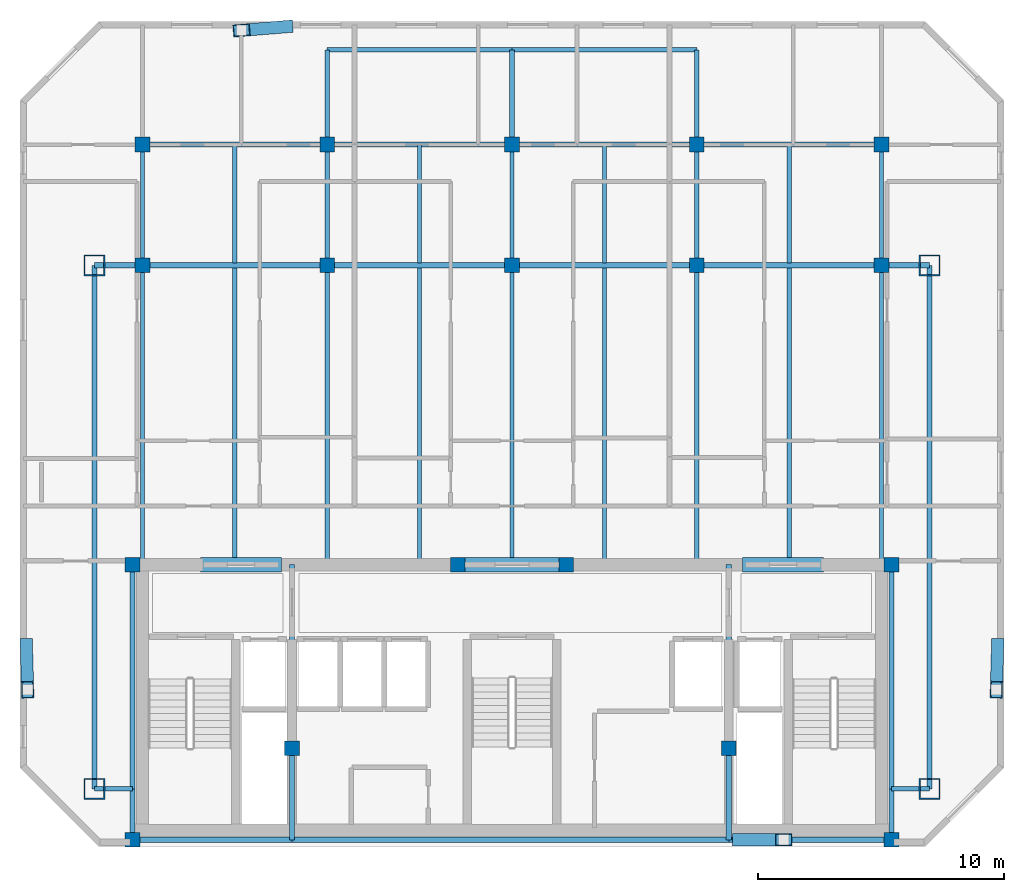
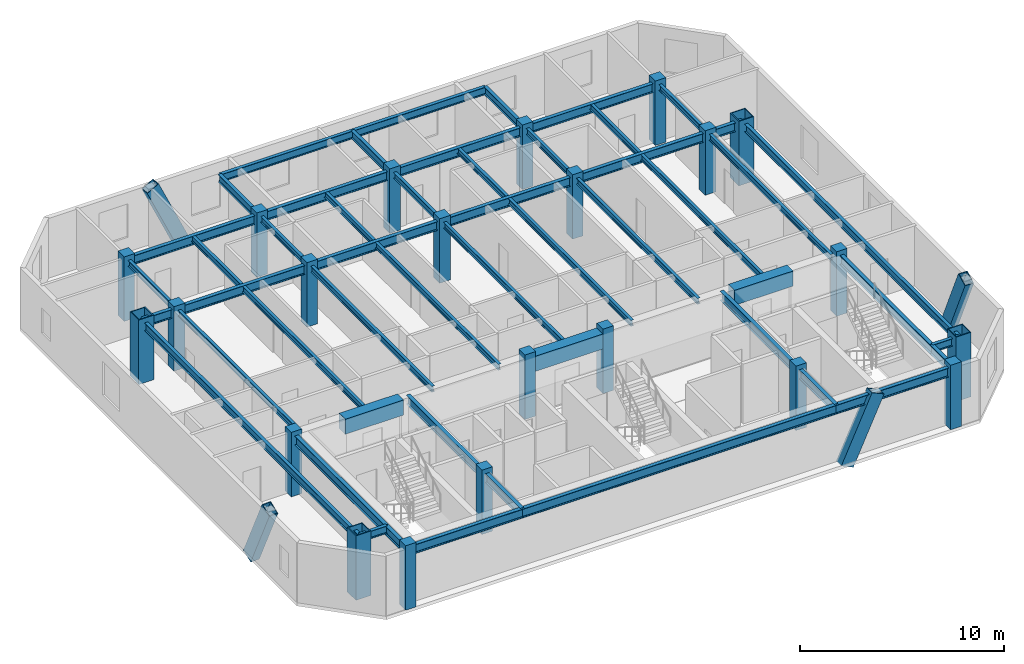
# One storey, part 1 of 7: 51 beams, 22 columns, 4 members.
"""IFC4 building model written with IfcOpenShell, lengths in metres."""

from ifc_helpers import new_model, si_unit, direction, frame, origin, origin_2d, place, context, subcontext, project, spatial, rectangle, hollow_rectangle, i_section, extrude, material, material_profile, profile_set, type_object, element, save


model = new_model("IFC4")

# Units and contexts
model_context = context("Model", 3, precision=1e-05, world=origin(), true_north=direction((0.0, 1.0)))
body_context = subcontext(model_context, "Body", "Model", "MODEL_VIEW")
ifc_project = project(units=[si_unit("LENGTHUNIT", "METRE"), si_unit("AREAUNIT", "SQUARE_METRE"), si_unit("VOLUMEUNIT", "CUBIC_METRE"), si_unit("PLANEANGLEUNIT", "RADIAN"), si_unit("MASSUNIT", "GRAM", prefix="KILO")], contexts=[model_context])

# Site, building, storey
site_placement = place(None, origin())
site = spatial("IfcSite", under=ifc_project, at=site_placement, CompositionType="ELEMENT")
building_placement = place(site_placement, origin())
building = spatial("IfcBuilding", under=site, at=building_placement, Name="Ventersveld Concourse Tower", CompositionType="ELEMENT")
storey_placement = place(building_placement, frame((0.0, 0.0, 304.14990234375)))
storey = spatial("IfcBuildingStorey", under=building, at=storey_placement, Name="L75", CompositionType="ELEMENT", Elevation=304.14990234375)

# Columns
ifc_material_1 = material(Name="Concrete C50/60", Category="concrete")
ifc_material_profile_1 = material_profile(ifc_material_1, rectangle(XDim=0.60009765625, YDim=0.60009765625, at=origin_2d()), Name="RC 600x600")
ifc_profile_set_1 = profile_set([ifc_material_profile_1], Name="Concrete C50/60")
column_type_1 = type_object("IfcColumnType", Name="COL-RC600", PredefinedType="COLUMN", material=ifc_profile_set_1)
for number, where, z_axis, x_axis, name in (
    (1, (13.35009765625, 0.280029296875, 0.0), (0.0, 0.0, 1.0), (1.0, 0.0, 0.0), "L75 Core Spine Column CC-SW"),
    (2, (44.14990234375, 0.280029296875, 0.0), (0.0, 0.0, 1.0), (1.0, 0.0, 0.0), "L75 Core Spine Column CC-SE"),
    (3, (13.35009765625, 11.449951171875, 0.0), (0.0, 0.0, 1.0), (1.0, 0.0, 0.0), "L75 Core Spine Column CC-NW"),
    (4, (44.14990234375, 11.449951171875, 0.0), (0.0, 0.0, 1.0), (1.0, 0.0, 0.0), "L75 Core Spine Column CC-NE"),
    (5, (19.820068359375, 4.0, 0.0), (0.0, 0.0, 1.0), (1.0, 0.0, 0.0), "L75 Core Spine Column CM-1"),
    (6, (37.550048828125, 4.0, 0.0), (0.0, 0.0, 1.0), (1.0, 0.0, 0.0), "L75 Core Spine Column CM-2"),
    (7, (26.550048828125, 11.449951171875, 0.0), (0.0, 0.0, 1.0), (1.0, 0.0, 0.0), "L75 Core Spine Column CM-3"),
    (8, (30.949951171875, 11.449951171875, 0.0), (0.0, 0.0, 1.0), (1.0, 0.0, 0.0), "L75 Core Spine Column CM-4"),
    (9, (13.75, 23.60009765625, 0.0), (0.0, 0.0, 1.0), (1.0, 0.0, 0.0), "L75 Interior Gravity Column X=13.75 Y=23.60"),
    (10, (21.25, 23.60009765625, 0.0), (0.0, 0.0, 1.0), (1.0, 0.0, 0.0), "L75 Interior Gravity Column X=21.25 Y=23.60"),
    (11, (28.75, 23.60009765625, 0.0), (0.0, 0.0, 1.0), (1.0, 0.0, 0.0), "L75 Interior Gravity Column X=28.75 Y=23.60"),
    (12, (36.25, 23.60009765625, 0.0), (0.0, 0.0, 1.0), (1.0, 0.0, 0.0), "L75 Interior Gravity Column X=36.25 Y=23.60"),
    (13, (43.75, 23.60009765625, 0.0), (0.0, 0.0, 1.0), (1.0, 0.0, 0.0), "L75 Interior Gravity Column X=43.75 Y=23.60"),
    (14, (13.75, 28.5, 0.0), (0.0, 0.0, 1.0), (1.0, 0.0, 0.0), "L75 Upper-North Gravity Column X=13.75 Y=28.50"),
    (15, (21.25, 28.5, 0.0), (0.0, 0.0, 1.0), (1.0, 0.0, 0.0), "L75 Upper-North Gravity Column X=21.25 Y=28.50"),
    (16, (28.75, 28.5, 0.0), (0.0, 0.0, 1.0), (1.0, 0.0, 0.0), "L75 Upper-North Gravity Column X=28.75 Y=28.50"),
    (17, (36.25, 28.5, 0.0), (0.0, 0.0, 1.0), (1.0, 0.0, 0.0), "L75 Upper-North Gravity Column X=36.25 Y=28.50"),
    (18, (43.75, 28.5, 0.0), (0.0, 0.0, 1.0), (1.0, 0.0, 0.0), "L75 Upper-North Gravity Column X=43.75 Y=28.50"),
):
    element("IfcColumn", number, at=place(storey_placement, frame(where, z_axis=z_axis, x_axis=x_axis)), inside=storey, type_object=column_type_1, Name=name, PredefinedType="COLUMN", context=body_context, shape_type="SweptSolid", body=[
        extrude(rectangle(XDim=0.60009765625, YDim=0.60009765625, at=origin_2d()), origin(), (0.0, 0.0, 1.0), 3.85009765625),
    ])
ifc_material_2 = material(Name="Structural steel S460ML", Category="steel")
ifc_material_profile_2 = material_profile(ifc_material_2, hollow_rectangle(XDim=0.85009765625, YDim=0.85009765625, WallThickness=0.050048828125, at=origin_2d()), Name="BOX 850x850x50")
ifc_profile_set_2 = profile_set([ifc_material_profile_2], Name="Structural steel S460ML")
column_type_2 = type_object("IfcColumnType", Name="MC-850", PredefinedType="USERDEFINED", material=ifc_profile_set_2)
for number, where, z_axis, x_axis, name in (
    (19, (11.800048828125, 2.35009765625, 0.0), (0.0, 0.0, 1.0), (1.0, 0.0, 0.0), "L75 Corner Mega-Column MC-SW"),
    (20, (45.699951171875, 2.35009765625, 0.0), (0.0, 0.0, 1.0), (1.0, 0.0, 0.0), "L75 Corner Mega-Column MC-SE"),
    (21, (45.699951171875, 23.60009765625, 0.0), (0.0, 0.0, 1.0), (1.0, 0.0, 0.0), "L75 Corner Mega-Column MC-NE"),
    (22, (11.800048828125, 23.60009765625, 0.0), (0.0, 0.0, 1.0), (1.0, 0.0, 0.0), "L75 Corner Mega-Column MC-NW"),
):
    element("IfcColumn", number, at=place(storey_placement, frame(where, z_axis=z_axis, x_axis=x_axis)), inside=storey, type_object=column_type_2, Name=name, ObjectType="MEGA_COLUMN", PredefinedType="USERDEFINED", context=body_context, shape_type="SweptSolid", body=[
        extrude(hollow_rectangle(XDim=0.85009765625, YDim=0.85009765625, WallThickness=0.050048828125, at=origin_2d()), origin(), (0.0, 0.0, 1.0), 3.85009765625),
    ])

# Beams
ifc_material_3 = material(Name="Structural steel S355J2", Category="steel")
ifc_material_profile_3 = material_profile(ifc_material_3, i_section(OverallWidth=0.17138671875, OverallDepth=0.35498046875, WebThickness=0.00732421875, FlangeThickness=0.011474609375, FilletRadius=0.01025390625, at=origin_2d()), Name="UB 356x171x51")
ifc_profile_set_3 = profile_set([ifc_material_profile_3], Name="Structural steel S355J2")
beam_type_1 = type_object("IfcBeamType", Name="BM-UB356", PredefinedType="BEAM", material=ifc_profile_set_3)
beam_1_placement = place(storey_placement, frame((13.75, 11.449951171875, 3.392578125), z_axis=(0.0, 1.0, 0.0), x_axis=(-1.0, 0.0, 0.0)))
element("IfcBeam", 23, at=beam_1_placement, inside=storey, type_object=beam_type_1, Name="L75 N-S Composite Floor Beam South X=13.75", PredefinedType="BEAM", context=body_context, shape_type="SweptSolid", body=[
    extrude(i_section(OverallWidth=0.17138671875, OverallDepth=0.35498046875, WebThickness=0.00732421875, FlangeThickness=0.011474609375, FilletRadius=0.01025390625, at=origin_2d()), origin(), (0.0, 0.0, 1.0), 12.150146484375),
])
beam_2_placement = place(storey_placement, frame((13.75, 23.60009765625, 3.392578125), z_axis=(0.0, 1.0, 0.0), x_axis=(-1.0, 0.0, 0.0)))
element("IfcBeam", 24, at=beam_2_placement, inside=storey, type_object=beam_type_1, Name="L75 N-S Upper-Zone Floor Beam X=13.75", PredefinedType="BEAM", context=body_context, shape_type="SweptSolid", body=[
    extrude(i_section(OverallWidth=0.17138671875, OverallDepth=0.35498046875, WebThickness=0.00732421875, FlangeThickness=0.011474609375, FilletRadius=0.01025390625, at=origin_2d()), origin(), (0.0, 0.0, 1.0), 4.89990234375),
])
beam_3_placement = place(storey_placement, frame((17.5, 11.449951171875, 3.392578125), z_axis=(0.0, 1.0, 0.0), x_axis=(-1.0, 0.0, 0.0)))
element("IfcBeam", 25, at=beam_3_placement, inside=storey, type_object=beam_type_1, Name="L75 N-S Composite Floor Beam South X=17.50", PredefinedType="BEAM", context=body_context, shape_type="SweptSolid", body=[
    extrude(i_section(OverallWidth=0.17138671875, OverallDepth=0.35498046875, WebThickness=0.00732421875, FlangeThickness=0.011474609375, FilletRadius=0.01025390625, at=origin_2d()), origin(), (0.0, 0.0, 1.0), 12.054931640625),
])
beam_4_placement = place(storey_placement, frame((17.5, 23.695068359375, 3.392578125), z_axis=(0.0, 1.0, 0.0), x_axis=(-1.0, 0.0, 0.0)))
element("IfcBeam", 26, at=beam_4_placement, inside=storey, type_object=beam_type_1, Name="L75 N-S Upper-Zone Floor Beam X=17.50", PredefinedType="BEAM", context=body_context, shape_type="SweptSolid", body=[
    extrude(i_section(OverallWidth=0.17138671875, OverallDepth=0.35498046875, WebThickness=0.00732421875, FlangeThickness=0.011474609375, FilletRadius=0.01025390625, at=origin_2d()), origin(), (0.0, 0.0, 1.0), 4.804931640625),
])
beam_5_placement = place(storey_placement, frame((21.25, 11.449951171875, 3.392578125), z_axis=(0.0, 1.0, 0.0), x_axis=(-1.0, 0.0, 0.0)))
element("IfcBeam", 27, at=beam_5_placement, inside=storey, type_object=beam_type_1, Name="L75 N-S Composite Floor Beam South X=21.25", PredefinedType="BEAM", context=body_context, shape_type="SweptSolid", body=[
    extrude(i_section(OverallWidth=0.17138671875, OverallDepth=0.35498046875, WebThickness=0.00732421875, FlangeThickness=0.011474609375, FilletRadius=0.01025390625, at=origin_2d()), origin(), (0.0, 0.0, 1.0), 12.150146484375),
])
beam_6_placement = place(storey_placement, frame((21.25, 23.60009765625, 3.392578125), z_axis=(0.0, 1.0, 0.0), x_axis=(-1.0, 0.0, 0.0)))
element("IfcBeam", 28, at=beam_6_placement, inside=storey, type_object=beam_type_1, Name="L75 N-S Upper-Zone Floor Beam X=21.25", PredefinedType="BEAM", context=body_context, shape_type="SweptSolid", body=[
    extrude(i_section(OverallWidth=0.17138671875, OverallDepth=0.35498046875, WebThickness=0.00732421875, FlangeThickness=0.011474609375, FilletRadius=0.01025390625, at=origin_2d()), origin(), (0.0, 0.0, 1.0), 4.89990234375),
])
beam_7_placement = place(storey_placement, frame((25.0, 11.449951171875, 3.392578125), z_axis=(0.0, 1.0, 0.0), x_axis=(-1.0, 0.0, 0.0)))
element("IfcBeam", 29, at=beam_7_placement, inside=storey, type_object=beam_type_1, Name="L75 N-S Composite Floor Beam South X=25.00", PredefinedType="BEAM", context=body_context, shape_type="SweptSolid", body=[
    extrude(i_section(OverallWidth=0.17138671875, OverallDepth=0.35498046875, WebThickness=0.00732421875, FlangeThickness=0.011474609375, FilletRadius=0.01025390625, at=origin_2d()), origin(), (0.0, 0.0, 1.0), 12.054931640625),
])
beam_8_placement = place(storey_placement, frame((25.0, 23.695068359375, 3.392578125), z_axis=(0.0, 1.0, 0.0), x_axis=(-1.0, 0.0, 0.0)))
element("IfcBeam", 30, at=beam_8_placement, inside=storey, type_object=beam_type_1, Name="L75 N-S Upper-Zone Floor Beam X=25.00", PredefinedType="BEAM", context=body_context, shape_type="SweptSolid", body=[
    extrude(i_section(OverallWidth=0.17138671875, OverallDepth=0.35498046875, WebThickness=0.00732421875, FlangeThickness=0.011474609375, FilletRadius=0.01025390625, at=origin_2d()), origin(), (0.0, 0.0, 1.0), 4.804931640625),
])
beam_9_placement = place(storey_placement, frame((28.75, 11.449951171875, 3.392578125), z_axis=(0.0, 1.0, 0.0), x_axis=(-1.0, 0.0, 0.0)))
element("IfcBeam", 31, at=beam_9_placement, inside=storey, type_object=beam_type_1, Name="L75 N-S Composite Floor Beam South X=28.75", PredefinedType="BEAM", context=body_context, shape_type="SweptSolid", body=[
    extrude(i_section(OverallWidth=0.17138671875, OverallDepth=0.35498046875, WebThickness=0.00732421875, FlangeThickness=0.011474609375, FilletRadius=0.01025390625, at=origin_2d()), origin(), (0.0, 0.0, 1.0), 12.150146484375),
])
beam_10_placement = place(storey_placement, frame((28.75, 23.60009765625, 3.392578125), z_axis=(0.0, 1.0, 0.0), x_axis=(-1.0, 0.0, 0.0)))
element("IfcBeam", 32, at=beam_10_placement, inside=storey, type_object=beam_type_1, Name="L75 N-S Upper-Zone Floor Beam X=28.75", PredefinedType="BEAM", context=body_context, shape_type="SweptSolid", body=[
    extrude(i_section(OverallWidth=0.17138671875, OverallDepth=0.35498046875, WebThickness=0.00732421875, FlangeThickness=0.011474609375, FilletRadius=0.01025390625, at=origin_2d()), origin(), (0.0, 0.0, 1.0), 4.89990234375),
])
beam_11_placement = place(storey_placement, frame((32.5, 11.449951171875, 3.392578125), z_axis=(0.0, 1.0, 0.0), x_axis=(-1.0, 0.0, 0.0)))
element("IfcBeam", 33, at=beam_11_placement, inside=storey, type_object=beam_type_1, Name="L75 N-S Composite Floor Beam South X=32.50", PredefinedType="BEAM", context=body_context, shape_type="SweptSolid", body=[
    extrude(i_section(OverallWidth=0.17138671875, OverallDepth=0.35498046875, WebThickness=0.00732421875, FlangeThickness=0.011474609375, FilletRadius=0.01025390625, at=origin_2d()), origin(), (0.0, 0.0, 1.0), 12.054931640625),
])
beam_12_placement = place(storey_placement, frame((32.5, 23.695068359375, 3.392578125), z_axis=(0.0, 1.0, 0.0), x_axis=(-1.0, 0.0, 0.0)))
element("IfcBeam", 34, at=beam_12_placement, inside=storey, type_object=beam_type_1, Name="L75 N-S Upper-Zone Floor Beam X=32.50", PredefinedType="BEAM", context=body_context, shape_type="SweptSolid", body=[
    extrude(i_section(OverallWidth=0.17138671875, OverallDepth=0.35498046875, WebThickness=0.00732421875, FlangeThickness=0.011474609375, FilletRadius=0.01025390625, at=origin_2d()), origin(), (0.0, 0.0, 1.0), 4.804931640625),
])
beam_13_placement = place(storey_placement, frame((36.25, 11.449951171875, 3.392578125), z_axis=(0.0, 1.0, 0.0), x_axis=(-1.0, 0.0, 0.0)))
element("IfcBeam", 35, at=beam_13_placement, inside=storey, type_object=beam_type_1, Name="L75 N-S Composite Floor Beam South X=36.25", PredefinedType="BEAM", context=body_context, shape_type="SweptSolid", body=[
    extrude(i_section(OverallWidth=0.17138671875, OverallDepth=0.35498046875, WebThickness=0.00732421875, FlangeThickness=0.011474609375, FilletRadius=0.01025390625, at=origin_2d()), origin(), (0.0, 0.0, 1.0), 12.150146484375),
])
beam_14_placement = place(storey_placement, frame((36.25, 23.60009765625, 3.392578125), z_axis=(0.0, 1.0, 0.0), x_axis=(-1.0, 0.0, 0.0)))
element("IfcBeam", 36, at=beam_14_placement, inside=storey, type_object=beam_type_1, Name="L75 N-S Upper-Zone Floor Beam X=36.25", PredefinedType="BEAM", context=body_context, shape_type="SweptSolid", body=[
    extrude(i_section(OverallWidth=0.17138671875, OverallDepth=0.35498046875, WebThickness=0.00732421875, FlangeThickness=0.011474609375, FilletRadius=0.01025390625, at=origin_2d()), origin(), (0.0, 0.0, 1.0), 4.89990234375),
])
beam_15_placement = place(storey_placement, frame((40.0, 11.449951171875, 3.392578125), z_axis=(0.0, 1.0, 0.0), x_axis=(-1.0, 0.0, 0.0)))
element("IfcBeam", 37, at=beam_15_placement, inside=storey, type_object=beam_type_1, Name="L75 N-S Composite Floor Beam South X=40.00", PredefinedType="BEAM", context=body_context, shape_type="SweptSolid", body=[
    extrude(i_section(OverallWidth=0.17138671875, OverallDepth=0.35498046875, WebThickness=0.00732421875, FlangeThickness=0.011474609375, FilletRadius=0.01025390625, at=origin_2d()), origin(), (0.0, 0.0, 1.0), 12.054931640625),
])
beam_16_placement = place(storey_placement, frame((40.0, 23.695068359375, 3.392578125), z_axis=(0.0, 1.0, 0.0), x_axis=(-1.0, 0.0, 0.0)))
element("IfcBeam", 38, at=beam_16_placement, inside=storey, type_object=beam_type_1, Name="L75 N-S Upper-Zone Floor Beam X=40.00", PredefinedType="BEAM", context=body_context, shape_type="SweptSolid", body=[
    extrude(i_section(OverallWidth=0.17138671875, OverallDepth=0.35498046875, WebThickness=0.00732421875, FlangeThickness=0.011474609375, FilletRadius=0.01025390625, at=origin_2d()), origin(), (0.0, 0.0, 1.0), 4.804931640625),
])
beam_17_placement = place(storey_placement, frame((43.75, 11.449951171875, 3.392578125), z_axis=(0.0, 1.0, 0.0), x_axis=(-1.0, 0.0, 0.0)))
element("IfcBeam", 39, at=beam_17_placement, inside=storey, type_object=beam_type_1, Name="L75 N-S Composite Floor Beam South X=43.75", PredefinedType="BEAM", context=body_context, shape_type="SweptSolid", body=[
    extrude(i_section(OverallWidth=0.17138671875, OverallDepth=0.35498046875, WebThickness=0.00732421875, FlangeThickness=0.011474609375, FilletRadius=0.01025390625, at=origin_2d()), origin(), (0.0, 0.0, 1.0), 12.150146484375),
])
beam_18_placement = place(storey_placement, frame((43.75, 23.60009765625, 3.392578125), z_axis=(0.0, 1.0, 0.0), x_axis=(-1.0, 0.0, 0.0)))
element("IfcBeam", 40, at=beam_18_placement, inside=storey, type_object=beam_type_1, Name="L75 N-S Upper-Zone Floor Beam X=43.75", PredefinedType="BEAM", context=body_context, shape_type="SweptSolid", body=[
    extrude(i_section(OverallWidth=0.17138671875, OverallDepth=0.35498046875, WebThickness=0.00732421875, FlangeThickness=0.011474609375, FilletRadius=0.01025390625, at=origin_2d()), origin(), (0.0, 0.0, 1.0), 4.89990234375),
])
ifc_material_profile_4 = material_profile(ifc_material_1, rectangle(XDim=0.60009765625, YDim=0.89990234375, at=origin_2d()), Name="RC 600x900")
ifc_profile_set_4 = profile_set([ifc_material_profile_4], Name="Concrete C50/60")
beam_type_2 = type_object("IfcBeamType", Name="CB-RC600x900U", PredefinedType="LINTEL", material=ifc_profile_set_4)
beam_19_placement = place(storey_placement, frame((16.10009765625, 11.449951171875, 3.1201171875), z_axis=(1.0, 0.0, 0.0), x_axis=(0.0, 1.0, 0.0)))
element("IfcBeam", 41, at=beam_19_placement, inside=storey, type_object=beam_type_2, Name="L75 Core Coupling Lintel Beam 1", PredefinedType="LINTEL", context=body_context, shape_type="SweptSolid", body=[
    extrude(rectangle(XDim=0.60009765625, YDim=0.89990234375, at=origin_2d()), origin(), (0.0, 0.0, 1.0), 3.2998046875),
])
beam_20_placement = place(storey_placement, frame((26.5, 11.449951171875, 3.1201171875), z_axis=(1.0, 0.0, 0.0), x_axis=(0.0, 1.0, 0.0)))
element("IfcBeam", 42, at=beam_20_placement, inside=storey, type_object=beam_type_2, Name="L75 Core Coupling Lintel Beam 2", PredefinedType="LINTEL", context=body_context, shape_type="SweptSolid", body=[
    extrude(rectangle(XDim=0.60009765625, YDim=0.89990234375, at=origin_2d()), origin(), (0.0, 0.0, 1.0), 4.5),
])
beam_21_placement = place(storey_placement, frame((38.10009765625, 11.449951171875, 3.1201171875), z_axis=(1.0, 0.0, 0.0), x_axis=(0.0, 1.0, 0.0)))
element("IfcBeam", 43, at=beam_21_placement, inside=storey, type_object=beam_type_2, Name="L75 Core Coupling Lintel Beam 3", PredefinedType="LINTEL", context=body_context, shape_type="SweptSolid", body=[
    extrude(rectangle(XDim=0.60009765625, YDim=0.89990234375, at=origin_2d()), origin(), (0.0, 0.0, 1.0), 3.2998046875),
])
ifc_material_profile_5 = material_profile(ifc_material_3, i_section(OverallWidth=0.209228515625, OverallDepth=0.533203125, WebThickness=0.010009765625, FlangeThickness=0.015625, FilletRadius=0.0126953125, at=origin_2d()), Name="UB 533x210x92")
ifc_profile_set_5 = profile_set([ifc_material_profile_5], Name="Structural steel S355J2")
beam_type_3 = type_object("IfcBeamType", Name="GRD-UB533", PredefinedType="T_BEAM", material=ifc_profile_set_5)
beam_22_placement = place(storey_placement, frame((11.800048828125, 23.60009765625, 3.3037109375), z_axis=(1.0, 0.0, 0.0), x_axis=(0.0, 1.0, 0.0)))
element("IfcBeam", 44, at=beam_22_placement, inside=storey, type_object=beam_type_3, Name="L75 Primary E-W Grid Girder Y=23.60 #1", PredefinedType="T_BEAM", context=body_context, shape_type="SweptSolid", body=[
    extrude(i_section(OverallWidth=0.209228515625, OverallDepth=0.533203125, WebThickness=0.010009765625, FlangeThickness=0.015625, FilletRadius=0.0126953125, at=origin_2d()), origin(), (0.0, 0.0, 1.0), 1.949951171875),
])
for number, where, z_axis, x_axis, name in (
    (45, (13.75, 23.60009765625, 3.3037109375), (1.0, 0.0, 0.0), (0.0, 1.0, 0.0), "L75 Primary E-W Grid Girder Y=23.60 #2"),
    (46, (21.25, 23.60009765625, 3.3037109375), (1.0, 0.0, 0.0), (0.0, 1.0, 0.0), "L75 Primary E-W Grid Girder Y=23.60 #3"),
    (47, (28.75, 23.60009765625, 3.3037109375), (1.0, 0.0, 0.0), (0.0, 1.0, 0.0), "L75 Primary E-W Grid Girder Y=23.60 #4"),
    (48, (36.25, 23.60009765625, 3.3037109375), (1.0, 0.0, 0.0), (0.0, 1.0, 0.0), "L75 Primary E-W Grid Girder Y=23.60 #5"),
):
    element("IfcBeam", number, at=place(storey_placement, frame(where, z_axis=z_axis, x_axis=x_axis)), inside=storey, type_object=beam_type_3, Name=name, PredefinedType="T_BEAM", context=body_context, shape_type="SweptSolid", body=[
        extrude(i_section(OverallWidth=0.209228515625, OverallDepth=0.533203125, WebThickness=0.010009765625, FlangeThickness=0.015625, FilletRadius=0.0126953125, at=origin_2d()), origin(), (0.0, 0.0, 1.0), 7.5),
    ])
beam_23_placement = place(storey_placement, frame((43.75, 23.60009765625, 3.3037109375), z_axis=(1.0, 0.0, 0.0), x_axis=(0.0, 1.0, 0.0)))
element("IfcBeam", 49, at=beam_23_placement, inside=storey, type_object=beam_type_3, Name="L75 Primary E-W Grid Girder Y=23.60 #6", PredefinedType="T_BEAM", context=body_context, shape_type="SweptSolid", body=[
    extrude(i_section(OverallWidth=0.209228515625, OverallDepth=0.533203125, WebThickness=0.010009765625, FlangeThickness=0.015625, FilletRadius=0.0126953125, at=origin_2d()), origin(), (0.0, 0.0, 1.0), 1.949951171875),
])
for number, where, z_axis, x_axis, name in (
    (50, (13.75, 28.5, 3.3037109375), (1.0, 0.0, 0.0), (0.0, 1.0, 0.0), "L75 Upper-North E-W Girder Y=28.50 #1"),
    (51, (21.25, 28.5, 3.3037109375), (1.0, 0.0, 0.0), (0.0, 1.0, 0.0), "L75 Upper-North E-W Girder Y=28.50 #2"),
    (52, (28.75, 28.5, 3.3037109375), (1.0, 0.0, 0.0), (0.0, 1.0, 0.0), "L75 Upper-North E-W Girder Y=28.50 #3"),
    (53, (36.25, 28.5, 3.3037109375), (1.0, 0.0, 0.0), (0.0, 1.0, 0.0), "L75 Upper-North E-W Girder Y=28.50 #4"),
):
    element("IfcBeam", number, at=place(storey_placement, frame(where, z_axis=z_axis, x_axis=x_axis)), inside=storey, type_object=beam_type_3, Name=name, PredefinedType="T_BEAM", context=body_context, shape_type="SweptSolid", body=[
        extrude(i_section(OverallWidth=0.209228515625, OverallDepth=0.533203125, WebThickness=0.010009765625, FlangeThickness=0.015625, FilletRadius=0.0126953125, at=origin_2d()), origin(), (0.0, 0.0, 1.0), 7.5),
    ])
ifc_material_profile_6 = material_profile(ifc_material_3, i_section(OverallWidth=0.2119140625, OverallDepth=0.54443359375, WebThickness=0.0126953125, FlangeThickness=0.021240234375, FilletRadius=0.0126953125, at=origin_2d()), Name="UB 533x210x122")
ifc_profile_set_6 = profile_set([ifc_material_profile_6], Name="Structural steel S355J2")
beam_type_4 = type_object("IfcBeamType", Name="GRD-UB533H", PredefinedType="T_BEAM", material=ifc_profile_set_6)
beam_24_placement = place(storey_placement, frame((13.35009765625, 0.280029296875, 3.2978515625), z_axis=(0.0, 1.0, 0.0), x_axis=(-1.0, 0.0, 0.0)))
element("IfcBeam", 54, at=beam_24_placement, inside=storey, type_object=beam_type_4, Name="L75 Core West Tie Beam S", PredefinedType="T_BEAM", context=body_context, shape_type="SweptSolid", body=[
    extrude(i_section(OverallWidth=0.2119140625, OverallDepth=0.54443359375, WebThickness=0.0126953125, FlangeThickness=0.021240234375, FilletRadius=0.0126953125, at=origin_2d()), origin(), (0.0, 0.0, 1.0), 2.070068359375),
])
beam_25_placement = place(storey_placement, frame((13.35009765625, 2.35009765625, 3.2978515625), z_axis=(0.0, 1.0, 0.0), x_axis=(-1.0, 0.0, 0.0)))
element("IfcBeam", 55, at=beam_25_placement, inside=storey, type_object=beam_type_4, Name="L75 Core West Tie Beam N", PredefinedType="T_BEAM", context=body_context, shape_type="SweptSolid", body=[
    extrude(i_section(OverallWidth=0.2119140625, OverallDepth=0.54443359375, WebThickness=0.0126953125, FlangeThickness=0.021240234375, FilletRadius=0.0126953125, at=origin_2d()), origin(), (0.0, 0.0, 1.0), 9.099853515625),
])
beam_26_placement = place(storey_placement, frame((44.14990234375, 0.280029296875, 3.2978515625), z_axis=(0.0, 1.0, 0.0), x_axis=(-1.0, 0.0, 0.0)))
element("IfcBeam", 56, at=beam_26_placement, inside=storey, type_object=beam_type_4, Name="L75 Core East Tie Beam S", PredefinedType="T_BEAM", context=body_context, shape_type="SweptSolid", body=[
    extrude(i_section(OverallWidth=0.2119140625, OverallDepth=0.54443359375, WebThickness=0.0126953125, FlangeThickness=0.021240234375, FilletRadius=0.0126953125, at=origin_2d()), origin(), (0.0, 0.0, 1.0), 2.070068359375),
])
beam_27_placement = place(storey_placement, frame((44.14990234375, 2.35009765625, 3.2978515625), z_axis=(0.0, 1.0, 0.0), x_axis=(-1.0, 0.0, 0.0)))
element("IfcBeam", 57, at=beam_27_placement, inside=storey, type_object=beam_type_4, Name="L75 Core East Tie Beam N", PredefinedType="T_BEAM", context=body_context, shape_type="SweptSolid", body=[
    extrude(i_section(OverallWidth=0.2119140625, OverallDepth=0.54443359375, WebThickness=0.0126953125, FlangeThickness=0.021240234375, FilletRadius=0.0126953125, at=origin_2d()), origin(), (0.0, 0.0, 1.0), 9.099853515625),
])
beam_28_placement = place(storey_placement, frame((13.35009765625, 0.280029296875, 3.2978515625), z_axis=(1.0, 0.0, 0.0), x_axis=(0.0, 1.0, 0.0)))
element("IfcBeam", 58, at=beam_28_placement, inside=storey, type_object=beam_type_4, Name="L75 Core South Tie Beam W", PredefinedType="T_BEAM", context=body_context, shape_type="SweptSolid", body=[
    extrude(i_section(OverallWidth=0.2119140625, OverallDepth=0.54443359375, WebThickness=0.0126953125, FlangeThickness=0.021240234375, FilletRadius=0.0126953125, at=origin_2d()), origin(), (0.0, 0.0, 1.0), 6.469970703125),
])
beam_29_placement = place(storey_placement, frame((19.820068359375, 0.280029296875, 3.2978515625), z_axis=(1.0, 0.0, 0.0), x_axis=(0.0, 1.0, 0.0)))
element("IfcBeam", 59, at=beam_29_placement, inside=storey, type_object=beam_type_4, Name="L75 Core South Tie Beam C", PredefinedType="T_BEAM", context=body_context, shape_type="SweptSolid", body=[
    extrude(i_section(OverallWidth=0.2119140625, OverallDepth=0.54443359375, WebThickness=0.0126953125, FlangeThickness=0.021240234375, FilletRadius=0.0126953125, at=origin_2d()), origin(), (0.0, 0.0, 1.0), 17.72998046875),
])
beam_30_placement = place(storey_placement, frame((37.550048828125, 0.280029296875, 3.2978515625), z_axis=(1.0, 0.0, 0.0), x_axis=(0.0, 1.0, 0.0)))
element("IfcBeam", 60, at=beam_30_placement, inside=storey, type_object=beam_type_4, Name="L75 Core South Tie Beam E", PredefinedType="T_BEAM", context=body_context, shape_type="SweptSolid", body=[
    extrude(i_section(OverallWidth=0.2119140625, OverallDepth=0.54443359375, WebThickness=0.0126953125, FlangeThickness=0.021240234375, FilletRadius=0.0126953125, at=origin_2d()), origin(), (0.0, 0.0, 1.0), 6.599853515625),
])
beam_31_placement = place(storey_placement, frame((19.820068359375, 0.280029296875, 3.2978515625), z_axis=(0.0, 1.0, 0.0), x_axis=(-1.0, 0.0, 0.0)))
element("IfcBeam", 61, at=beam_31_placement, inside=storey, type_object=beam_type_4, Name="L75 Core Spine N-S Tie Beam W1", PredefinedType="T_BEAM", context=body_context, shape_type="SweptSolid", body=[
    extrude(i_section(OverallWidth=0.2119140625, OverallDepth=0.54443359375, WebThickness=0.0126953125, FlangeThickness=0.021240234375, FilletRadius=0.0126953125, at=origin_2d()), origin(), (0.0, 0.0, 1.0), 3.719970703125),
])
beam_32_placement = place(storey_placement, frame((19.820068359375, 4.0, 3.2978515625), z_axis=(0.0, 1.0, 0.0), x_axis=(-1.0, 0.0, 0.0)))
element("IfcBeam", 62, at=beam_32_placement, inside=storey, type_object=beam_type_4, Name="L75 Core Spine N-S Tie Beam W2", PredefinedType="T_BEAM", context=body_context, shape_type="SweptSolid", body=[
    extrude(i_section(OverallWidth=0.2119140625, OverallDepth=0.54443359375, WebThickness=0.0126953125, FlangeThickness=0.021240234375, FilletRadius=0.0126953125, at=origin_2d()), origin(), (0.0, 0.0, 1.0), 7.449951171875),
])
beam_33_placement = place(storey_placement, frame((37.550048828125, 0.280029296875, 3.2978515625), z_axis=(0.0, 1.0, 0.0), x_axis=(-1.0, 0.0, 0.0)))
element("IfcBeam", 63, at=beam_33_placement, inside=storey, type_object=beam_type_4, Name="L75 Core Spine N-S Tie Beam E1", PredefinedType="T_BEAM", context=body_context, shape_type="SweptSolid", body=[
    extrude(i_section(OverallWidth=0.2119140625, OverallDepth=0.54443359375, WebThickness=0.0126953125, FlangeThickness=0.021240234375, FilletRadius=0.0126953125, at=origin_2d()), origin(), (0.0, 0.0, 1.0), 3.719970703125),
])
beam_34_placement = place(storey_placement, frame((37.550048828125, 4.0, 3.2978515625), z_axis=(0.0, 1.0, 0.0), x_axis=(-1.0, 0.0, 0.0)))
element("IfcBeam", 64, at=beam_34_placement, inside=storey, type_object=beam_type_4, Name="L75 Core Spine N-S Tie Beam E2", PredefinedType="T_BEAM", context=body_context, shape_type="SweptSolid", body=[
    extrude(i_section(OverallWidth=0.2119140625, OverallDepth=0.54443359375, WebThickness=0.0126953125, FlangeThickness=0.021240234375, FilletRadius=0.0126953125, at=origin_2d()), origin(), (0.0, 0.0, 1.0), 7.449951171875),
])

# Members
ifc_material_4 = material(Name="Structural steel S355ML", Category="steel")
ifc_material_profile_7 = material_profile(ifc_material_4, hollow_rectangle(XDim=0.5, YDim=0.75, WallThickness=0.034912109375, at=origin_2d()), Name="BOX 750x500x35")
ifc_profile_set_7 = profile_set([ifc_material_profile_7], Name="Structural steel S355ML")
member_type = type_object("IfcMemberType", Name="MB-750x500", PredefinedType="BRACE", material=ifc_profile_set_7)
member_1_placement = place(storey_placement, frame((19.510498046875, 33.28125, -0.199951171875), z_axis=(-0.418709000314, -0.034436978833, 0.907467281804), x_axis=(0.081968848657, -0.996634891949, 0.0)))
element("IfcMember", 65, at=member_1_placement, inside=storey, type_object=member_type, Name="L75 Exterior Mega-Brace N (Module M18)", PredefinedType="BRACE", context=body_context, shape_type="SweptSolid", body=[
    extrude(hollow_rectangle(XDim=0.5, YDim=0.75, WallThickness=0.034912109375, at=origin_2d()), origin(), (0.0, 0.0, 1.0), 4.154541015625),
])
member_2_placement = place(storey_placement, frame((38.03955078125, 0.280029296875, -0.199951171875), z_axis=(0.418909014245, 0.0, 0.908028214201), x_axis=(0.0, 1.0, 0.0)))
element("IfcMember", 66, at=member_2_placement, inside=storey, type_object=member_type, Name="L75 Exterior Mega-Brace S (Module M18)", PredefinedType="BRACE", context=body_context, shape_type="SweptSolid", body=[
    extrude(hollow_rectangle(XDim=0.5, YDim=0.75, WallThickness=0.034912109375, at=origin_2d()), origin(), (0.0, 0.0, 1.0), 4.15185546875),
])
for number, where, z_axis, x_axis, name in (
    (67, (9.0380859375, 8.110595703125, -0.199951171875), (0.011876974732, -0.418927945367, 0.907941801032), (0.999598355988, 0.028339490233, 0.0), "L75 Exterior Mega-Brace W (Module M18)"),
    (68, (48.4619140625, 8.110595703125, -0.199951171875), (-0.011876974732, -0.418927945367, 0.907941801032), (0.999598355988, -0.028339490233, 0.0), "L75 Exterior Mega-Brace E (Module M18)"),
):
    element("IfcMember", number, at=place(storey_placement, frame(where, z_axis=z_axis, x_axis=x_axis)), inside=storey, type_object=member_type, Name=name, PredefinedType="BRACE", context=body_context, shape_type="SweptSolid", body=[
        extrude(hollow_rectangle(XDim=0.5, YDim=0.75, WallThickness=0.034912109375, at=origin_2d()), origin(), (0.0, 0.0, 1.0), 4.15234375),
    ])

# Beams
ifc_material_profile_8 = material_profile(ifc_material_3, i_section(OverallWidth=0.19140625, OverallDepth=0.4599609375, WebThickness=0.010009765625, FlangeThickness=0.01611328125, FilletRadius=0.01025390625, at=origin_2d()), Name="UB 457x191x82")
ifc_profile_set_8 = profile_set([ifc_material_profile_8], Name="Structural steel S355J2")
beam_type_5 = type_object("IfcBeamType", Name="SPD-UB457", PredefinedType="SPANDREL", material=ifc_profile_set_8)
for number, where, z_axis, x_axis, name in (
    (69, (11.800048828125, 2.35009765625, 3.340087890625), (1.0, 0.0, 0.0), (0.0, 1.0, 0.0), "L75 SW Spandrel Beam"),
    (70, (44.14990234375, 2.35009765625, 3.340087890625), (1.0, 0.0, 0.0), (0.0, 1.0, 0.0), "L75 SE Spandrel Beam"),
):
    element("IfcBeam", number, at=place(storey_placement, frame(where, z_axis=z_axis, x_axis=x_axis)), inside=storey, type_object=beam_type_5, Name=name, PredefinedType="SPANDREL", context=body_context, shape_type="SweptSolid", body=[
        extrude(i_section(OverallWidth=0.19140625, OverallDepth=0.4599609375, WebThickness=0.010009765625, FlangeThickness=0.01611328125, FilletRadius=0.01025390625, at=origin_2d()), origin(), (0.0, 0.0, 1.0), 1.550048828125),
    ])
for number, where, z_axis, x_axis, name in (
    (71, (11.800048828125, 2.35009765625, 3.340087890625), (0.0, 1.0, 0.0), (-1.0, 0.0, 0.0), "L75 West Spandrel Beam"),
    (72, (45.699951171875, 2.35009765625, 3.340087890625), (0.0, 1.0, 0.0), (-1.0, 0.0, 0.0), "L75 East Spandrel Beam"),
):
    element("IfcBeam", number, at=place(storey_placement, frame(where, z_axis=z_axis, x_axis=x_axis)), inside=storey, type_object=beam_type_5, Name=name, PredefinedType="SPANDREL", context=body_context, shape_type="SweptSolid", body=[
        extrude(i_section(OverallWidth=0.19140625, OverallDepth=0.4599609375, WebThickness=0.010009765625, FlangeThickness=0.01611328125, FilletRadius=0.01025390625, at=origin_2d()), origin(), (0.0, 0.0, 1.0), 21.25),
    ])
for number, where, z_axis, x_axis, name in (
    (73, (21.25, 28.5, 3.340087890625), (0.0, 1.0, 0.0), (-1.0, 0.0, 0.0), "L75 Terrace Bracket W"),
    (74, (28.75, 28.5, 3.340087890625), (0.0, 1.0, 0.0), (-1.0, 0.0, 0.0), "L75 Terrace Bracket C"),
    (75, (36.25, 28.5, 3.340087890625), (0.0, 1.0, 0.0), (-1.0, 0.0, 0.0), "L75 Terrace Bracket E"),
):
    element("IfcBeam", number, at=place(storey_placement, frame(where, z_axis=z_axis, x_axis=x_axis)), inside=storey, type_object=beam_type_5, Name=name, PredefinedType="SPANDREL", context=body_context, shape_type="SweptSolid", body=[
        extrude(i_section(OverallWidth=0.19140625, OverallDepth=0.4599609375, WebThickness=0.010009765625, FlangeThickness=0.01611328125, FilletRadius=0.01025390625, at=origin_2d()), origin(), (0.0, 0.0, 1.0), 3.85009765625),
    ])
for number, where, z_axis, x_axis, name in (
    (76, (21.25, 32.35009765625, 3.340087890625), (1.0, 0.0, 0.0), (0.0, 1.0, 0.0), "L75 Terrace Edge Spandrel W"),
    (77, (28.75, 32.35009765625, 3.340087890625), (1.0, 0.0, 0.0), (0.0, 1.0, 0.0), "L75 Terrace Edge Spandrel E"),
):
    element("IfcBeam", number, at=place(storey_placement, frame(where, z_axis=z_axis, x_axis=x_axis)), inside=storey, type_object=beam_type_5, Name=name, PredefinedType="SPANDREL", context=body_context, shape_type="SweptSolid", body=[
        extrude(i_section(OverallWidth=0.19140625, OverallDepth=0.4599609375, WebThickness=0.010009765625, FlangeThickness=0.01611328125, FilletRadius=0.01025390625, at=origin_2d()), origin(), (0.0, 0.0, 1.0), 7.5),
    ])

save(model, "model.ifc")
